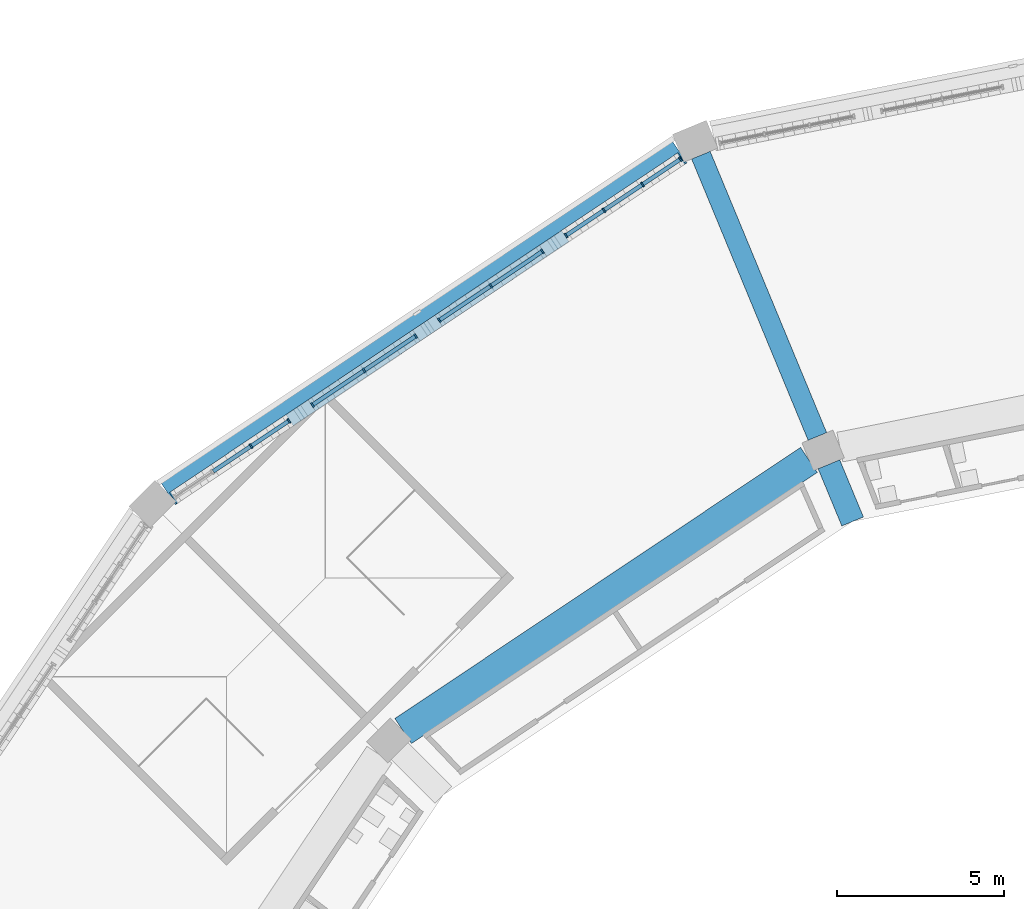
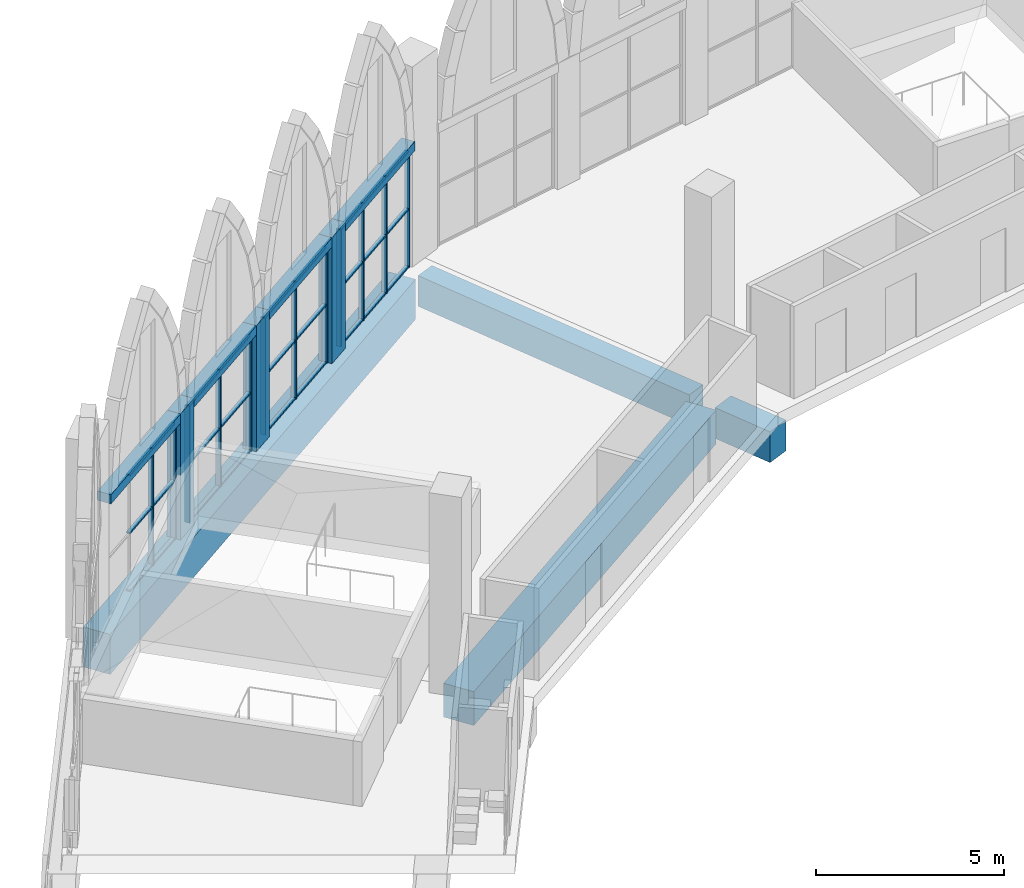
# One storey, part 33 of 130: 42 members, 8 beams, 4 elements without a shape of their own.
"""IFC4 building model written with IfcOpenShell, lengths in metres."""

from ifc_helpers import new_model, si_unit, direction, frame, origin, origin_2d, place, context, subcontext, project, spatial, rectangle, extrude, material, material_profile, profile_set, type_object, element, aggregate, save


model = new_model("IFC4")

# Units and contexts
model_context = context("Model", 3, precision=1e-05, world=origin(), true_north=direction((0.0, 1.0)))
body_context = subcontext(model_context, "Body", "Model", "MODEL_VIEW")
ifc_project = project(units=[si_unit("LENGTHUNIT", "METRE"), si_unit("AREAUNIT", "SQUARE_METRE"), si_unit("VOLUMEUNIT", "CUBIC_METRE"), si_unit("PLANEANGLEUNIT", "RADIAN"), si_unit("MASSUNIT", "GRAM", prefix="KILO")], contexts=[model_context])

# Site, building, storey
site_placement = place(None, origin())
site = spatial("IfcSite", under=ifc_project, at=site_placement, CompositionType="ELEMENT")
building_placement = place(site_placement, origin())
building = spatial("IfcBuilding", under=site, at=building_placement, Name="Ogive Plaza Stadium", CompositionType="ELEMENT")
storey_placement = place(building_placement, frame((0.0, 0.0, 22.5)))
storey = spatial("IfcBuildingStorey", under=building, at=storey_placement, Name="L05", CompositionType="ELEMENT", Elevation=22.5)

# Curtain wall, members
ifc_material_1 = material(Name="Bronze-anodised aluminium with laminated glass", Category="aluminium")
curtain_wall_type = type_object("IfcCurtainWallType", Name="Lancet curtain wall", PredefinedType="NOTDEFINED", material=ifc_material_1)
curtain_wall_1_placement = place(storey_placement, origin())
curtain_wall_1 = element("IfcCurtainWall", 1, at=curtain_wall_1_placement, inside=storey, type_object=curtain_wall_type, Name="CURTAIN WALL B30 L05", PredefinedType="NOTDEFINED")
ifc_material_2 = material(Name="Bronze-anodised aluminium", Category="aluminium")
ifc_material_profile_1 = material_profile(ifc_material_2, rectangle(XDim=0.14990234375, YDim=0.050048828125, at=origin_2d()), Name="AL 150x50")
ifc_profile_set_1 = profile_set([ifc_material_profile_1], Name="Bronze-anodised aluminium")
member_type_1 = type_object("IfcMemberType", Name="Curtain wall mullion 50x150", PredefinedType="MULLION", material=ifc_profile_set_1)
member_1_placement = place(storey_placement, frame((-66.407470703125, 89.58447265625, 0.0), z_axis=(0.0, 0.0, 1.0), x_axis=(-0.555570233005, 0.831469612312, 0.0)))
member_1 = element("IfcMember", 2, at=member_1_placement, type_object=member_type_1, Name="CW-B30-L05.1 mullion 3", PredefinedType="MULLION", context=body_context, shape_type="SweptSolid", body=[
    extrude(rectangle(XDim=0.14990234375, YDim=0.050048828125, at=origin_2d()), origin(), (0.0, 0.0, 1.0), 3.800048828125),
])
member_2_placement = place(storey_placement, frame((-65.276123046875, 90.340576171875, 0.0), z_axis=(0.0, 0.0, 1.0), x_axis=(-0.555570233005, 0.831469612312, 0.0)))
member_2 = element("IfcMember", 3, at=member_2_placement, type_object=member_type_1, Name="CW-B30-L05.1 mullion 4", PredefinedType="MULLION", context=body_context, shape_type="SweptSolid", body=[
    extrude(rectangle(XDim=0.14990234375, YDim=0.050048828125, at=origin_2d()), origin(), (0.0, 0.0, 1.0), 3.800048828125),
])

curtain_wall_2_placement = place(storey_placement, origin())
curtain_wall_2 = element("IfcCurtainWall", 4, at=curtain_wall_2_placement, inside=storey, type_object=curtain_wall_type, Name="CURTAIN WALL B30 L05", PredefinedType="NOTDEFINED")
member_3_placement = place(storey_placement, frame((-64.5693359375, 90.812744140625, 0.0), z_axis=(0.0, 0.0, 1.0), x_axis=(-0.555570233121, 0.831469612235, 0.0)))
member_3 = element("IfcMember", 5, at=member_3_placement, type_object=member_type_1, Name="CW-B30-L05.2 mullion 1", PredefinedType="MULLION", context=body_context, shape_type="SweptSolid", body=[
    extrude(rectangle(XDim=0.14990234375, YDim=0.050048828125, at=origin_2d()), origin(), (0.0, 0.0, 1.0), 3.800048828125),
])
member_4_placement = place(storey_placement, frame((-63.028076171875, 91.842529296875, 0.0), z_axis=(0.0, 0.0, 1.0), x_axis=(-0.555570233121, 0.831469612235, 0.0)))
member_4 = element("IfcMember", 6, at=member_4_placement, type_object=member_type_1, Name="CW-B30-L05.2 mullion 2", PredefinedType="MULLION", context=body_context, shape_type="SweptSolid", body=[
    extrude(rectangle(XDim=0.14990234375, YDim=0.050048828125, at=origin_2d()), origin(), (0.0, 0.0, 1.0), 3.800048828125),
])
member_5_placement = place(storey_placement, frame((-61.487060546875, 92.872314453125, 0.0), z_axis=(0.0, 0.0, 1.0), x_axis=(-0.555570233121, 0.831469612235, 0.0)))
member_5 = element("IfcMember", 7, at=member_5_placement, type_object=member_type_1, Name="CW-B30-L05.2 mullion 3", PredefinedType="MULLION", context=body_context, shape_type="SweptSolid", body=[
    extrude(rectangle(XDim=0.14990234375, YDim=0.050048828125, at=origin_2d()), origin(), (0.0, 0.0, 1.0), 3.800048828125),
])

curtain_wall_3_placement = place(storey_placement, origin())
curtain_wall_3 = element("IfcCurtainWall", 8, at=curtain_wall_3_placement, inside=storey, type_object=curtain_wall_type, Name="CURTAIN WALL B30 L05", PredefinedType="NOTDEFINED")
member_6_placement = place(storey_placement, frame((-60.7802734375, 93.344482421875, 0.0), z_axis=(0.0, 0.0, 1.0), x_axis=(-0.555570233237, 0.831469612157, 0.0)))
member_6 = element("IfcMember", 9, at=member_6_placement, type_object=member_type_1, Name="CW-B30-L05.3 mullion 1", PredefinedType="MULLION", context=body_context, shape_type="SweptSolid", body=[
    extrude(rectangle(XDim=0.14990234375, YDim=0.050048828125, at=origin_2d()), origin(), (0.0, 0.0, 1.0), 3.800048828125),
])
member_7_placement = place(storey_placement, frame((-59.239013671875, 94.374267578125, 0.0), z_axis=(0.0, 0.0, 1.0), x_axis=(-0.555570233237, 0.831469612157, 0.0)))
member_7 = element("IfcMember", 10, at=member_7_placement, type_object=member_type_1, Name="CW-B30-L05.3 mullion 2", PredefinedType="MULLION", context=body_context, shape_type="SweptSolid", body=[
    extrude(rectangle(XDim=0.14990234375, YDim=0.050048828125, at=origin_2d()), origin(), (0.0, 0.0, 1.0), 3.800048828125),
])
member_8_placement = place(storey_placement, frame((-57.697998046875, 95.404052734375, 0.0), z_axis=(0.0, 0.0, 1.0), x_axis=(-0.555570233237, 0.831469612157, 0.0)))
member_8 = element("IfcMember", 11, at=member_8_placement, type_object=member_type_1, Name="CW-B30-L05.3 mullion 3", PredefinedType="MULLION", context=body_context, shape_type="SweptSolid", body=[
    extrude(rectangle(XDim=0.14990234375, YDim=0.050048828125, at=origin_2d()), origin(), (0.0, 0.0, 1.0), 3.800048828125),
])

curtain_wall_4_placement = place(storey_placement, origin())
curtain_wall_4 = element("IfcCurtainWall", 12, at=curtain_wall_4_placement, inside=storey, type_object=curtain_wall_type, Name="CURTAIN WALL B30 L05", PredefinedType="NOTDEFINED")
member_9_placement = place(storey_placement, frame((-56.9912109375, 95.876220703125, 0.0), z_axis=(0.0, 0.0, 1.0), x_axis=(-0.555570232889, 0.83146961239, 0.0)))
member_9 = element("IfcMember", 13, at=member_9_placement, type_object=member_type_1, Name="CW-B30-L05.4 mullion 1", PredefinedType="MULLION", context=body_context, shape_type="SweptSolid", body=[
    extrude(rectangle(XDim=0.14990234375, YDim=0.050048828125, at=origin_2d()), origin(), (0.0, 0.0, 1.0), 3.800048828125),
])
member_10_placement = place(storey_placement, frame((-55.85986328125, 96.63232421875, 0.0), z_axis=(0.0, 0.0, 1.0), x_axis=(-0.555570232889, 0.83146961239, 0.0)))
member_10 = element("IfcMember", 14, at=member_10_placement, type_object=member_type_1, Name="CW-B30-L05.4 mullion 2", PredefinedType="MULLION", context=body_context, shape_type="SweptSolid", body=[
    extrude(rectangle(XDim=0.14990234375, YDim=0.050048828125, at=origin_2d()), origin(), (0.0, 0.0, 1.0), 3.800048828125),
])
member_11_placement = place(storey_placement, frame((-54.707763671875, 97.402099609375, 0.0), z_axis=(0.0, 0.0, 1.0), x_axis=(-0.555570232889, 0.83146961239, 0.0)))
member_11 = element("IfcMember", 15, at=member_11_placement, type_object=member_type_1, Name="CW-B30-L05.4 mullion 3", PredefinedType="MULLION", context=body_context, shape_type="SweptSolid", body=[
    extrude(rectangle(XDim=0.14990234375, YDim=0.050048828125, at=origin_2d()), origin(), (0.0, 0.0, 1.0), 3.800048828125),
])
member_12_placement = place(storey_placement, frame((-53.576171875, 98.157958984375, 0.0), z_axis=(0.0, 0.0, 1.0), x_axis=(-0.555570232889, 0.83146961239, 0.0)))
member_12 = element("IfcMember", 16, at=member_12_placement, type_object=member_type_1, Name="CW-B30-L05.4 mullion 4", PredefinedType="MULLION", context=body_context, shape_type="SweptSolid", body=[
    extrude(rectangle(XDim=0.14990234375, YDim=0.050048828125, at=origin_2d()), origin(), (0.0, 0.0, 1.0), 3.800048828125),
])

# Member
ifc_material_3 = material(Name="Bronze-anodised aluminium", Category="aluminium")
ifc_material_profile_2 = material_profile(ifc_material_3, rectangle(XDim=0.1201171875, YDim=0.050048828125, at=origin_2d()), Name="AL 120x50")
ifc_profile_set_2 = profile_set([ifc_material_profile_2], Name="Bronze-anodised aluminium")
member_type_2 = type_object("IfcMemberType", Name="Curtain wall transom 50x120", PredefinedType="USERDEFINED", material=ifc_profile_set_2)
member_13_placement = place(storey_placement, frame((-67.538818359375, 88.82861328125, 0.02490234375), z_axis=(0.831515596605, 0.555501406481, 0.0), x_axis=(-0.555501406481, 0.831515596605, 0.0)))
member_13 = element("IfcMember", 17, at=member_13_placement, type_object=member_type_2, Name="CW-B30-L05.1 transom 2.1", ObjectType="TRANSOM", PredefinedType="USERDEFINED", context=body_context, shape_type="SweptSolid", body=[
    extrude(rectangle(XDim=0.1201171875, YDim=0.050048828125, at=origin_2d()), origin(), (0.0, 0.0, 1.0), 1.335693359375),
])

member_14_placement = place(storey_placement, frame((-67.538818359375, 88.82861328125, 1.89990234375), z_axis=(0.831515596605, 0.555501406481, 0.0), x_axis=(-0.555501406481, 0.831515596605, 0.0)))
member_14 = element("IfcMember", 18, at=member_14_placement, type_object=member_type_2, Name="CW-B30-L05.1 transom 2.2", ObjectType="TRANSOM", PredefinedType="USERDEFINED", context=body_context, shape_type="SweptSolid", body=[
    extrude(rectangle(XDim=0.1201171875, YDim=0.050048828125, at=origin_2d()), origin(), (0.0, 0.0, 1.0), 1.335693359375),
])

member_15_placement = place(storey_placement, frame((-67.538818359375, 88.82861328125, 3.77490234375), z_axis=(0.831515596605, 0.555501406481, 0.0), x_axis=(-0.555501406481, 0.831515596605, 0.0)))
member_15 = element("IfcMember", 19, at=member_15_placement, type_object=member_type_2, Name="CW-B30-L05.1 transom 2.3", ObjectType="TRANSOM", PredefinedType="USERDEFINED", context=body_context, shape_type="SweptSolid", body=[
    extrude(rectangle(XDim=0.1201171875, YDim=0.050048828125, at=origin_2d()), origin(), (0.0, 0.0, 1.0), 1.335693359375),
])

member_16_placement = place(storey_placement, frame((-66.38671875, 89.598388671875, 0.02490234375), z_axis=(0.83144805367, 0.555602496438, 0.0), x_axis=(-0.555602496438, 0.83144805367, 0.0)))
member_16 = element("IfcMember", 20, at=member_16_placement, type_object=member_type_2, Name="CW-B30-L05.1 transom 3.1", ObjectType="TRANSOM", PredefinedType="USERDEFINED", context=body_context, shape_type="SweptSolid", body=[
    extrude(rectangle(XDim=0.1201171875, YDim=0.050048828125, at=origin_2d()), origin(), (0.0, 0.0, 1.0), 1.310791015625),
])

member_17_placement = place(storey_placement, frame((-66.38671875, 89.598388671875, 1.89990234375), z_axis=(0.83144805367, 0.555602496438, 0.0), x_axis=(-0.555602496438, 0.83144805367, 0.0)))
member_17 = element("IfcMember", 21, at=member_17_placement, type_object=member_type_2, Name="CW-B30-L05.1 transom 3.2", ObjectType="TRANSOM", PredefinedType="USERDEFINED", context=body_context, shape_type="SweptSolid", body=[
    extrude(rectangle(XDim=0.1201171875, YDim=0.050048828125, at=origin_2d()), origin(), (0.0, 0.0, 1.0), 1.310791015625),
])

member_18_placement = place(storey_placement, frame((-66.38671875, 89.598388671875, 3.77490234375), z_axis=(0.83144805367, 0.555602496438, 0.0), x_axis=(-0.555602496438, 0.83144805367, 0.0)))
member_18 = element("IfcMember", 22, at=member_18_placement, type_object=member_type_2, Name="CW-B30-L05.1 transom 3.3", ObjectType="TRANSOM", PredefinedType="USERDEFINED", context=body_context, shape_type="SweptSolid", body=[
    extrude(rectangle(XDim=0.1201171875, YDim=0.050048828125, at=origin_2d()), origin(), (0.0, 0.0, 1.0), 1.310791015625),
])

aggregate(curtain_wall_1, [member_1, member_2, member_13, member_14, member_15, member_16, member_17, member_18])

member_19_placement = place(storey_placement, frame((-64.548583984375, 90.82666015625, 0.02490234375), z_axis=(0.831466685303, 0.555574613559, 0.0), x_axis=(-0.555574613559, 0.831466685303, 0.0)))
member_19 = element("IfcMember", 23, at=member_19_placement, type_object=member_type_2, Name="CW-B30-L05.2 transom 1.1", ObjectType="TRANSOM", PredefinedType="USERDEFINED", context=body_context, shape_type="SweptSolid", body=[
    extrude(rectangle(XDim=0.1201171875, YDim=0.050048828125, at=origin_2d()), origin(), (0.0, 0.0, 1.0), 1.803466796875),
])

member_20_placement = place(storey_placement, frame((-64.548583984375, 90.82666015625, 1.89990234375), z_axis=(0.831466685303, 0.555574613559, 0.0), x_axis=(-0.555574613559, 0.831466685303, 0.0)))
member_20 = element("IfcMember", 24, at=member_20_placement, type_object=member_type_2, Name="CW-B30-L05.2 transom 1.2", ObjectType="TRANSOM", PredefinedType="USERDEFINED", context=body_context, shape_type="SweptSolid", body=[
    extrude(rectangle(XDim=0.1201171875, YDim=0.050048828125, at=origin_2d()), origin(), (0.0, 0.0, 1.0), 1.803466796875),
])

member_21_placement = place(storey_placement, frame((-64.548583984375, 90.82666015625, 3.77490234375), z_axis=(0.831466685303, 0.555574613559, 0.0), x_axis=(-0.555574613559, 0.831466685303, 0.0)))
member_21 = element("IfcMember", 25, at=member_21_placement, type_object=member_type_2, Name="CW-B30-L05.2 transom 1.3", ObjectType="TRANSOM", PredefinedType="USERDEFINED", context=body_context, shape_type="SweptSolid", body=[
    extrude(rectangle(XDim=0.1201171875, YDim=0.050048828125, at=origin_2d()), origin(), (0.0, 0.0, 1.0), 1.803466796875),
])

member_22_placement = place(storey_placement, frame((-63.00732421875, 91.8564453125, 0.02490234375), z_axis=(0.831466685303, 0.555574613559, 0.0), x_axis=(-0.555574613559, 0.831466685303, 0.0)))
member_22 = element("IfcMember", 26, at=member_22_placement, type_object=member_type_2, Name="CW-B30-L05.2 transom 2.1", ObjectType="TRANSOM", PredefinedType="USERDEFINED", context=body_context, shape_type="SweptSolid", body=[
    extrude(rectangle(XDim=0.1201171875, YDim=0.050048828125, at=origin_2d()), origin(), (0.0, 0.0, 1.0), 1.803466796875),
])

member_23_placement = place(storey_placement, frame((-63.00732421875, 91.8564453125, 1.89990234375), z_axis=(0.831466685303, 0.555574613559, 0.0), x_axis=(-0.555574613559, 0.831466685303, 0.0)))
member_23 = element("IfcMember", 27, at=member_23_placement, type_object=member_type_2, Name="CW-B30-L05.2 transom 2.2", ObjectType="TRANSOM", PredefinedType="USERDEFINED", context=body_context, shape_type="SweptSolid", body=[
    extrude(rectangle(XDim=0.1201171875, YDim=0.050048828125, at=origin_2d()), origin(), (0.0, 0.0, 1.0), 1.803466796875),
])

member_24_placement = place(storey_placement, frame((-63.00732421875, 91.8564453125, 3.77490234375), z_axis=(0.831466685303, 0.555574613559, 0.0), x_axis=(-0.555574613559, 0.831466685303, 0.0)))
member_24 = element("IfcMember", 28, at=member_24_placement, type_object=member_type_2, Name="CW-B30-L05.2 transom 2.3", ObjectType="TRANSOM", PredefinedType="USERDEFINED", context=body_context, shape_type="SweptSolid", body=[
    extrude(rectangle(XDim=0.1201171875, YDim=0.050048828125, at=origin_2d()), origin(), (0.0, 0.0, 1.0), 1.803466796875),
])

aggregate(curtain_wall_2, [member_3, member_4, member_5, member_19, member_20, member_21, member_22, member_23, member_24])

member_25_placement = place(storey_placement, frame((-60.759521484375, 93.3583984375, 0.02490234375), z_axis=(0.831466685303, 0.555574613559, 0.0), x_axis=(-0.555574613559, 0.831466685303, 0.0)))
member_25 = element("IfcMember", 29, at=member_25_placement, type_object=member_type_2, Name="CW-B30-L05.3 transom 1.1", ObjectType="TRANSOM", PredefinedType="USERDEFINED", context=body_context, shape_type="SweptSolid", body=[
    extrude(rectangle(XDim=0.1201171875, YDim=0.050048828125, at=origin_2d()), origin(), (0.0, 0.0, 1.0), 1.803466796875),
])

member_26_placement = place(storey_placement, frame((-60.759521484375, 93.3583984375, 1.89990234375), z_axis=(0.831466685303, 0.555574613559, 0.0), x_axis=(-0.555574613559, 0.831466685303, 0.0)))
member_26 = element("IfcMember", 30, at=member_26_placement, type_object=member_type_2, Name="CW-B30-L05.3 transom 1.2", ObjectType="TRANSOM", PredefinedType="USERDEFINED", context=body_context, shape_type="SweptSolid", body=[
    extrude(rectangle(XDim=0.1201171875, YDim=0.050048828125, at=origin_2d()), origin(), (0.0, 0.0, 1.0), 1.803466796875),
])

member_27_placement = place(storey_placement, frame((-60.759521484375, 93.3583984375, 3.77490234375), z_axis=(0.831466685303, 0.555574613559, 0.0), x_axis=(-0.555574613559, 0.831466685303, 0.0)))
member_27 = element("IfcMember", 31, at=member_27_placement, type_object=member_type_2, Name="CW-B30-L05.3 transom 1.3", ObjectType="TRANSOM", PredefinedType="USERDEFINED", context=body_context, shape_type="SweptSolid", body=[
    extrude(rectangle(XDim=0.1201171875, YDim=0.050048828125, at=origin_2d()), origin(), (0.0, 0.0, 1.0), 1.803466796875),
])

member_28_placement = place(storey_placement, frame((-59.21826171875, 94.38818359375, 0.02490234375), z_axis=(0.831466685303, 0.555574613559, 0.0), x_axis=(-0.555574613559, 0.831466685303, 0.0)))
member_28 = element("IfcMember", 32, at=member_28_placement, type_object=member_type_2, Name="CW-B30-L05.3 transom 2.1", ObjectType="TRANSOM", PredefinedType="USERDEFINED", context=body_context, shape_type="SweptSolid", body=[
    extrude(rectangle(XDim=0.1201171875, YDim=0.050048828125, at=origin_2d()), origin(), (0.0, 0.0, 1.0), 1.803466796875),
])

member_29_placement = place(storey_placement, frame((-59.21826171875, 94.38818359375, 1.89990234375), z_axis=(0.831466685303, 0.555574613559, 0.0), x_axis=(-0.555574613559, 0.831466685303, 0.0)))
member_29 = element("IfcMember", 33, at=member_29_placement, type_object=member_type_2, Name="CW-B30-L05.3 transom 2.2", ObjectType="TRANSOM", PredefinedType="USERDEFINED", context=body_context, shape_type="SweptSolid", body=[
    extrude(rectangle(XDim=0.1201171875, YDim=0.050048828125, at=origin_2d()), origin(), (0.0, 0.0, 1.0), 1.803466796875),
])

member_30_placement = place(storey_placement, frame((-59.21826171875, 94.38818359375, 3.77490234375), z_axis=(0.831466685303, 0.555574613559, 0.0), x_axis=(-0.555574613559, 0.831466685303, 0.0)))
member_30 = element("IfcMember", 34, at=member_30_placement, type_object=member_type_2, Name="CW-B30-L05.3 transom 2.3", ObjectType="TRANSOM", PredefinedType="USERDEFINED", context=body_context, shape_type="SweptSolid", body=[
    extrude(rectangle(XDim=0.1201171875, YDim=0.050048828125, at=origin_2d()), origin(), (0.0, 0.0, 1.0), 1.803466796875),
])

aggregate(curtain_wall_3, [member_6, member_7, member_8, member_25, member_26, member_27, member_28, member_29, member_30])

member_31_placement = place(storey_placement, frame((-56.970458984375, 95.89013671875, 0.02490234375), z_axis=(0.83144805367, 0.555602496438, 0.0), x_axis=(-0.555602496438, 0.83144805367, 0.0)))
member_31 = element("IfcMember", 35, at=member_31_placement, type_object=member_type_2, Name="CW-B30-L05.4 transom 1.1", ObjectType="TRANSOM", PredefinedType="USERDEFINED", context=body_context, shape_type="SweptSolid", body=[
    extrude(rectangle(XDim=0.1201171875, YDim=0.050048828125, at=origin_2d()), origin(), (0.0, 0.0, 1.0), 1.310791015625),
])

member_32_placement = place(storey_placement, frame((-56.970458984375, 95.89013671875, 1.89990234375), z_axis=(0.83144805367, 0.555602496438, 0.0), x_axis=(-0.555602496438, 0.83144805367, 0.0)))
member_32 = element("IfcMember", 36, at=member_32_placement, type_object=member_type_2, Name="CW-B30-L05.4 transom 1.2", ObjectType="TRANSOM", PredefinedType="USERDEFINED", context=body_context, shape_type="SweptSolid", body=[
    extrude(rectangle(XDim=0.1201171875, YDim=0.050048828125, at=origin_2d()), origin(), (0.0, 0.0, 1.0), 1.310791015625),
])

member_33_placement = place(storey_placement, frame((-56.970458984375, 95.89013671875, 3.77490234375), z_axis=(0.83144805367, 0.555602496438, 0.0), x_axis=(-0.555602496438, 0.83144805367, 0.0)))
member_33 = element("IfcMember", 37, at=member_33_placement, type_object=member_type_2, Name="CW-B30-L05.4 transom 1.3", ObjectType="TRANSOM", PredefinedType="USERDEFINED", context=body_context, shape_type="SweptSolid", body=[
    extrude(rectangle(XDim=0.1201171875, YDim=0.050048828125, at=origin_2d()), origin(), (0.0, 0.0, 1.0), 1.310791015625),
])

member_34_placement = place(storey_placement, frame((-55.839111328125, 96.64599609375, 0.02490234375), z_axis=(0.831431163002, 0.555627772154, 0.0), x_axis=(-0.555627772154, 0.831431163002, 0.0)))
member_34 = element("IfcMember", 38, at=member_34_placement, type_object=member_type_2, Name="CW-B30-L05.4 transom 2.1", ObjectType="TRANSOM", PredefinedType="USERDEFINED", context=body_context, shape_type="SweptSolid", body=[
    extrude(rectangle(XDim=0.1201171875, YDim=0.050048828125, at=origin_2d()), origin(), (0.0, 0.0, 1.0), 1.335693359375),
])

member_35_placement = place(storey_placement, frame((-55.839111328125, 96.64599609375, 1.89990234375), z_axis=(0.831431163002, 0.555627772154, 0.0), x_axis=(-0.555627772154, 0.831431163002, 0.0)))
member_35 = element("IfcMember", 39, at=member_35_placement, type_object=member_type_2, Name="CW-B30-L05.4 transom 2.2", ObjectType="TRANSOM", PredefinedType="USERDEFINED", context=body_context, shape_type="SweptSolid", body=[
    extrude(rectangle(XDim=0.1201171875, YDim=0.050048828125, at=origin_2d()), origin(), (0.0, 0.0, 1.0), 1.335693359375),
])

member_36_placement = place(storey_placement, frame((-55.839111328125, 96.64599609375, 3.77490234375), z_axis=(0.831431163002, 0.555627772154, 0.0), x_axis=(-0.555627772154, 0.831431163002, 0.0)))
member_36 = element("IfcMember", 40, at=member_36_placement, type_object=member_type_2, Name="CW-B30-L05.4 transom 2.3", ObjectType="TRANSOM", PredefinedType="USERDEFINED", context=body_context, shape_type="SweptSolid", body=[
    extrude(rectangle(XDim=0.1201171875, YDim=0.050048828125, at=origin_2d()), origin(), (0.0, 0.0, 1.0), 1.335693359375),
])

member_37_placement = place(storey_placement, frame((-54.686767578125, 97.416015625, 0.02490234375), z_axis=(0.831476605676, 0.555559766553, 0.0), x_axis=(-0.555559766553, 0.831476605676, 0.0)))
member_37 = element("IfcMember", 41, at=member_37_placement, type_object=member_type_2, Name="CW-B30-L05.4 transom 3.1", ObjectType="TRANSOM", PredefinedType="USERDEFINED", context=body_context, shape_type="SweptSolid", body=[
    extrude(rectangle(XDim=0.1201171875, YDim=0.050048828125, at=origin_2d()), origin(), (0.0, 0.0, 1.0), 1.310546875),
])

member_38_placement = place(storey_placement, frame((-54.686767578125, 97.416015625, 1.89990234375), z_axis=(0.831476605676, 0.555559766553, 0.0), x_axis=(-0.555559766553, 0.831476605676, 0.0)))
member_38 = element("IfcMember", 42, at=member_38_placement, type_object=member_type_2, Name="CW-B30-L05.4 transom 3.2", ObjectType="TRANSOM", PredefinedType="USERDEFINED", context=body_context, shape_type="SweptSolid", body=[
    extrude(rectangle(XDim=0.1201171875, YDim=0.050048828125, at=origin_2d()), origin(), (0.0, 0.0, 1.0), 1.310546875),
])

member_39_placement = place(storey_placement, frame((-54.686767578125, 97.416015625, 3.77490234375), z_axis=(0.831476605676, 0.555559766553, 0.0), x_axis=(-0.555559766553, 0.831476605676, 0.0)))
member_39 = element("IfcMember", 43, at=member_39_placement, type_object=member_type_2, Name="CW-B30-L05.4 transom 3.3", ObjectType="TRANSOM", PredefinedType="USERDEFINED", context=body_context, shape_type="SweptSolid", body=[
    extrude(rectangle(XDim=0.1201171875, YDim=0.050048828125, at=origin_2d()), origin(), (0.0, 0.0, 1.0), 1.310546875),
])

aggregate(curtain_wall_4, [member_9, member_10, member_11, member_12, member_31, member_32, member_33, member_34, member_35, member_36, member_37, member_38, member_39])

# Members
ifc_material_4 = material(Name="Concrete C45/55 precast", Category="concrete")
ifc_material_profile_3 = material_profile(ifc_material_4, rectangle(XDim=0.39990234375, YDim=0.800048828125, at=origin_2d()), Name="RC 400x800")
ifc_profile_set_3 = profile_set([ifc_material_profile_3], Name="Concrete C45/55 precast")
member_type_3 = type_object("IfcMemberType", Name="Precast colonette 800x400", PredefinedType="POST", material=ifc_profile_set_3)
for number, where, z_axis, x_axis, name in (
    (44, (-64.922607421875, 90.57666015625, 0.0), (0.0, 0.0, 1.0), (-0.55557023302, 0.831469612303, 0.0), "COLONETTE B30 1"),
    (45, (-61.133544921875, 93.1083984375, 0.0), (0.0, 0.0, 1.0), (-0.55557023302, 0.831469612303, 0.0), "COLONETTE B30 2"),
    (46, (-57.344482421875, 95.64013671875, 0.0), (0.0, 0.0, 1.0), (-0.55557023302, 0.831469612303, 0.0), "COLONETTE B30 3"),
):
    element("IfcMember", number, at=place(storey_placement, frame(where, z_axis=z_axis, x_axis=x_axis)), inside=storey, type_object=member_type_3, Name=name, PredefinedType="POST", context=body_context, shape_type="SweptSolid", body=[
        extrude(rectangle(XDim=0.39990234375, YDim=0.800048828125, at=origin_2d()), origin(), (0.0, 0.0, 1.0), 4.10009765625),
    ])

# Beams
ifc_material_5 = material(Name="Concrete C45/55 precast", Category="concrete")
ifc_material_profile_4 = material_profile(ifc_material_5, rectangle(XDim=0.39990234375, YDim=0.300048828125, at=origin_2d()), Name="RC 400x300")
ifc_profile_set_4 = profile_set([ifc_material_profile_4], Name="Concrete C45/55 precast")
beam_type_1 = type_object("IfcBeamType", Name="Precast tympanum lintel 400x300", PredefinedType="BEAM", material=ifc_profile_set_4)
beam_1_placement = place(storey_placement, frame((-68.73681640625, 88.028076171875, 3.949951171875), z_axis=(0.831453074078, 0.555594983424, 0.0), x_axis=(-0.555594983424, 0.831453074078, 0.0)))
element("IfcBeam", 47, at=beam_1_placement, inside=storey, type_object=beam_type_1, Name="TYMPANUM LINTEL B30 1", PredefinedType="BEAM", context=body_context, shape_type="SweptSolid", body=[
    extrude(rectangle(XDim=0.39990234375, YDim=0.300048828125, at=origin_2d()), origin(), (0.0, 0.0, 1.0), 4.217041015625),
])
beam_2_placement = place(storey_placement, frame((-64.614990234375, 90.7822265625, 3.949951171875), z_axis=(0.831459392206, 0.555585528171, 0.0), x_axis=(-0.555585528171, 0.831459392206, 0.0)))
element("IfcBeam", 48, at=beam_2_placement, inside=storey, type_object=beam_type_1, Name="TYMPANUM LINTEL B30 2", PredefinedType="BEAM", context=body_context, shape_type="SweptSolid", body=[
    extrude(rectangle(XDim=0.39990234375, YDim=0.300048828125, at=origin_2d()), origin(), (0.0, 0.0, 1.0), 3.81689453125),
])
beam_3_placement = place(storey_placement, frame((-60.825927734375, 93.31396484375, 3.949951171875), z_axis=(0.831479134531, 0.555555981733, 0.0), x_axis=(-0.555555981733, 0.831479134531, 0.0)))
element("IfcBeam", 49, at=beam_3_placement, inside=storey, type_object=beam_type_1, Name="TYMPANUM LINTEL B30 3", PredefinedType="BEAM", context=body_context, shape_type="SweptSolid", body=[
    extrude(rectangle(XDim=0.39990234375, YDim=0.300048828125, at=origin_2d()), origin(), (0.0, 0.0, 1.0), 3.817138671875),
])
beam_4_placement = place(storey_placement, frame((-57.036865234375, 95.845703125, 3.949951171875), z_axis=(0.831479817514, 0.555554959537, 0.0), x_axis=(-0.555554959537, 0.831479817514, 0.0)))
element("IfcBeam", 50, at=beam_4_placement, inside=storey, type_object=beam_type_1, Name="TYMPANUM LINTEL B30 4", PredefinedType="BEAM", context=body_context, shape_type="SweptSolid", body=[
    extrude(rectangle(XDim=0.39990234375, YDim=0.300048828125, at=origin_2d()), origin(), (0.0, 0.0, 1.0), 4.217041015625),
])
ifc_material_6 = material(Name="Concrete C40/50", Category="concrete")
ifc_material_profile_5 = material_profile(ifc_material_6, rectangle(XDim=0.60009765625, YDim=1.0, at=origin_2d()), Name="RC 600x1000")
ifc_profile_set_5 = profile_set([ifc_material_profile_5], Name="Concrete C40/50")
beam_type_2 = type_object("IfcBeamType", Name="RC radial beam 600x1000", PredefinedType="BEAM", material=ifc_profile_set_5)
beam_5_placement = place(storey_placement, frame((-49.4794921875, 89.870849609375, -0.909912109375), z_axis=(-0.382677193504, 0.923882116707, 0.0), x_axis=(-0.923882116707, -0.382677193504, 0.0)))
element("IfcBeam", 51, at=beam_5_placement, inside=storey, type_object=beam_type_2, Name="Radial beam L05 R31 F4F5", PredefinedType="BEAM", context=body_context, shape_type="SweptSolid", body=[
    extrude(rectangle(XDim=0.60009765625, YDim=1.0, at=origin_2d()), origin(), (0.0, 0.0, 1.0), 9.10009765625),
])
ifc_material_7 = material(Name="Concrete C40/50", Category="concrete")
ifc_material_profile_6 = material_profile(ifc_material_7, rectangle(XDim=0.699951171875, YDim=1.0, at=origin_2d()), Name="RC 700x1000")
ifc_profile_set_6 = profile_set([ifc_material_profile_6], Name="Concrete C40/50")
beam_type_3 = type_object("IfcBeamType", Name="RC radial beam 700x1000", PredefinedType="BEAM", material=ifc_profile_set_6)
beam_6_placement = place(storey_placement, frame((-48.42724609375, 87.330322265625, -0.909912109375), z_axis=(-0.382581020213, 0.923921946364, 0.0), x_axis=(-0.923921946364, -0.382581020213, 0.0)))
element("IfcBeam", 52, at=beam_6_placement, inside=storey, type_object=beam_type_3, Name="Raker tail beam UT R31", PredefinedType="BEAM", context=body_context, shape_type="SweptSolid", body=[
    extrude(rectangle(XDim=0.699951171875, YDim=1.0, at=origin_2d()), origin(), (0.0, 0.0, 1.0), 1.849853515625),
])
ifc_material_8 = material(Name="Concrete C40/50", Category="concrete")
ifc_material_profile_7 = material_profile(ifc_material_8, rectangle(XDim=0.89990234375, YDim=1.10009765625, at=origin_2d()), Name="RC 900x1100")
ifc_profile_set_7 = profile_set([ifc_material_profile_7], Name="Concrete C40/50")
beam_type_4 = type_object("IfcBeamType", Name="RC ring beam 900x1100", PredefinedType="BEAM", material=ifc_profile_set_7)
beam_7_placement = place(storey_placement, frame((-61.8603515625, 81.0673828125, -0.9599609375), z_axis=(0.831467933961, 0.555572744827, 0.0), x_axis=(-0.555572744827, 0.831467933961, 0.0)))
element("IfcBeam", 53, at=beam_7_placement, inside=storey, type_object=beam_type_4, Name="Ring beam F4 L05 B30", PredefinedType="BEAM", context=body_context, shape_type="SweptSolid", body=[
    extrude(rectangle(XDim=0.89990234375, YDim=1.10009765625, at=origin_2d()), origin(), (0.0, 0.0, 1.0), 14.587646484375),
])
ifc_material_9 = material(Name="Concrete C40/50", Category="concrete")
ifc_material_profile_8 = material_profile(ifc_material_9, rectangle(XDim=0.800048828125, YDim=1.300048828125, at=origin_2d()), Name="RC 800x1300")
ifc_profile_set_8 = profile_set([ifc_material_profile_8], Name="Concrete C40/50")
beam_type_5 = type_object("IfcBeamType", Name="RC spandrel beam 800x1300", PredefinedType="SPANDREL", material=ifc_profile_set_8)
beam_8_placement = place(storey_placement, frame((-68.88916015625, 88.1669921875, -1.06005859375), z_axis=(0.831477897484, 0.555557833169, 0.0), x_axis=(-0.555557833169, 0.831477897484, 0.0)))
element("IfcBeam", 54, at=beam_8_placement, inside=storey, type_object=beam_type_5, Name="Ring beam F5 L05 B30", PredefinedType="SPANDREL", context=body_context, shape_type="SweptSolid", body=[
    extrude(rectangle(XDim=0.800048828125, YDim=1.300048828125, at=origin_2d()), origin(), (0.0, 0.0, 1.0), 18.387451171875),
])

save(model, "model.ifc")
